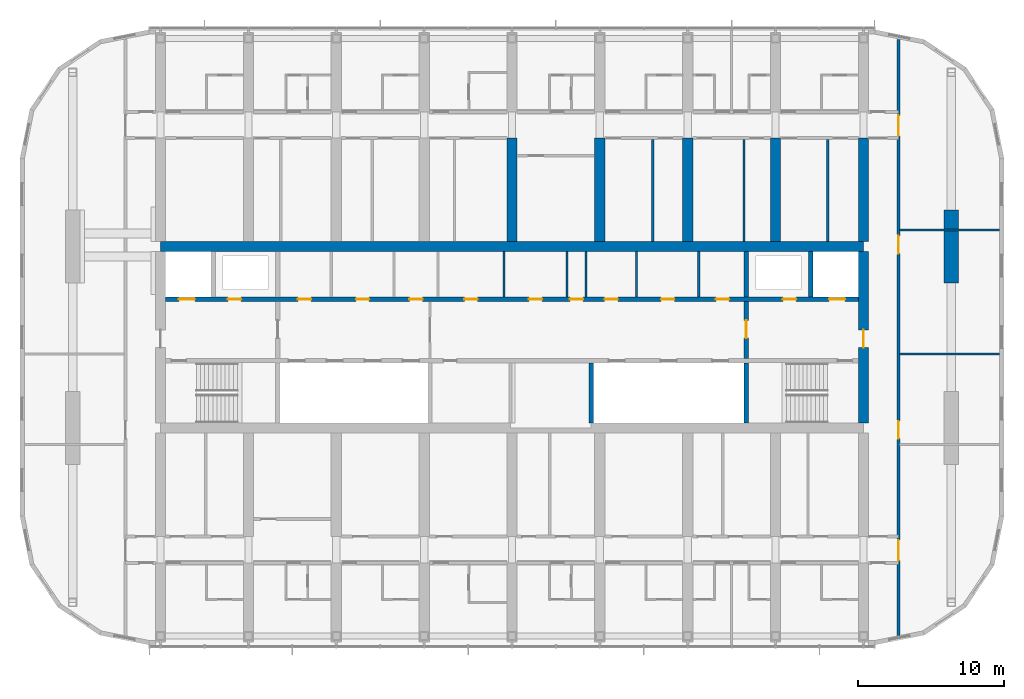
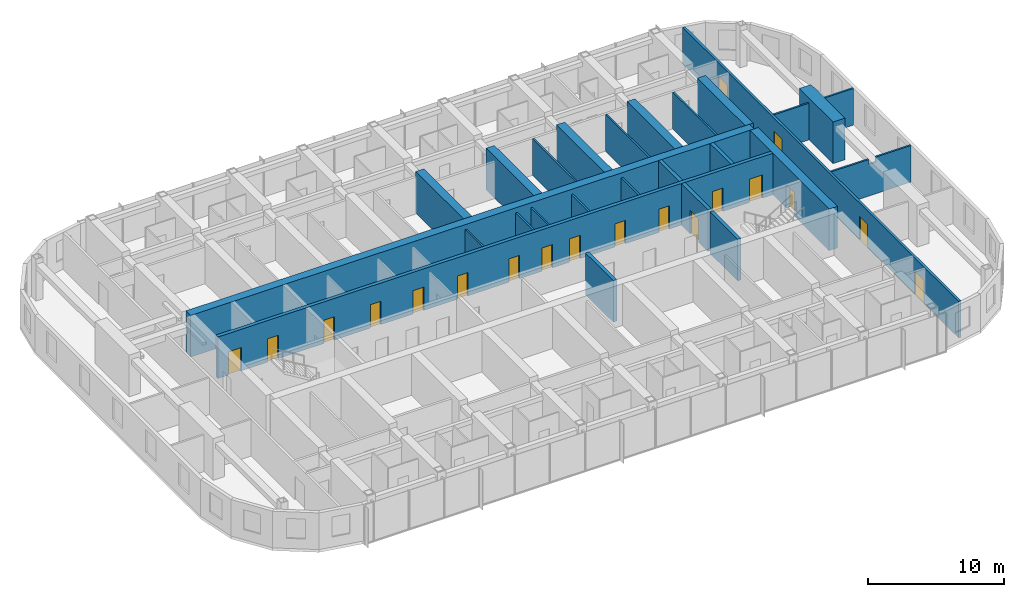
# One storey, part 14 of 23: 25 walls, 19 doors, 19 openings.
"""IFC4 building model written with IfcOpenShell, lengths in metres."""

from ifc_helpers import new_model, si_unit, direction, frame, frame_2d, origin, place, context, subcontext, project, spatial, polyline, rectangle, outline, extrude, material, layer, layer_set, type_object, element, fill, save


model = new_model("IFC4")

# Units and contexts
model_context = context("Model", 3, precision=1e-05, world=origin(), true_north=direction((0.0, 1.0)))
body_context = subcontext(model_context, "Body", "Model", "MODEL_VIEW")
ifc_project = project(units=[si_unit("LENGTHUNIT", "METRE"), si_unit("AREAUNIT", "SQUARE_METRE"), si_unit("VOLUMEUNIT", "CUBIC_METRE"), si_unit("PLANEANGLEUNIT", "RADIAN"), si_unit("MASSUNIT", "GRAM", prefix="KILO")], contexts=[model_context])

# Site, building, storey
site_placement = place(None, origin())
site = spatial("IfcSite", under=ifc_project, at=site_placement, CompositionType="ELEMENT")
building_placement = place(site_placement, origin())
building = spatial("IfcBuilding", under=site, at=building_placement, Name="Orbita Commons", CompositionType="ELEMENT")
storey_placement = place(building_placement, frame((0.0, 0.0, 212.800048828125)))
storey = spatial("IfcBuildingStorey", under=building, at=storey_placement, Name="L52", CompositionType="ELEMENT", Elevation=212.800048828125)

# Wall, openings, doors
ifc_material_1 = material(Name="Concrete C50/60", Category="concrete")
ifc_layer_1 = layer(ifc_material_1, 0.300048828125)
ifc_layer_set_1 = layer_set([ifc_layer_1], Name="Concrete C50/60")
wall_type_1 = type_object("IfcWallType", Name="Core inner wall 300 C50/60", PredefinedType="SHEAR", material=ifc_layer_set_1)
wall_1_placement = place(storey_placement, frame((18.35009765625, 34.60009765625, 0.0), z_axis=(0.0, 0.0, 1.0), x_axis=(1.0, 0.0, 0.0)))
wall_1 = element("IfcWall", 1, at=wall_1_placement, inside=storey, type_object=wall_type_1, Name="Lobby wall north L52", PredefinedType="SHEAR", context=body_context, shape_type="SweptSolid", body=[
    extrude(rectangle(XDim=47.2998046875, YDim=0.300048828125, at=frame_2d((23.64990234375, 0.0))), origin(), (0.0, 0.0, 1.0), 3.75),
])
opening_1_placement = place(wall_1_placement, frame((0.89990234375, 0.0, 0.0)))
opening_1 = element("IfcOpeningElement", 2, at=opening_1_placement, cuts=wall_1, Name="Opening LD01", PredefinedType="OPENING", context=body_context, shape_type="SweptSolid", body=[
    extrude(rectangle(XDim=1.10009765625, YDim=2.10009765625, at=frame_2d((0.550048828125, 1.050048828125))), frame((0.0, 0.159912109375, 0.0), z_axis=(0.0, -1.0, 0.0), x_axis=(1.0, 0.0, 0.0)), (0.0, 0.0, 1.0), 0.320068359375),
])
opening_2_placement = place(wall_1_placement, frame((45.300048828125, 0.0, 0.0)))
opening_2 = element("IfcOpeningElement", 3, at=opening_2_placement, cuts=wall_1, Name="Opening LD01", PredefinedType="OPENING", context=body_context, shape_type="SweptSolid", body=[
    extrude(rectangle(XDim=1.10009765625, YDim=2.10009765625, at=frame_2d((0.550048828125, 1.050048828125))), frame((0.0, 0.159912109375, 0.0), z_axis=(0.0, -1.0, 0.0), x_axis=(1.0, 0.0, 0.0)), (0.0, 0.0, 1.0), 0.320068359375),
])
opening_3_placement = place(wall_1_placement, frame((4.25, 0.0, 0.0)))
opening_3 = element("IfcOpeningElement", 4, at=opening_3_placement, cuts=wall_1, Name="Opening D03", PredefinedType="OPENING", context=body_context, shape_type="SweptSolid", body=[
    extrude(rectangle(XDim=0.89990234375, YDim=2.10009765625, at=frame_2d((0.449951171875, 1.050048828125))), frame((0.0, 0.159912109375, 0.0), z_axis=(0.0, -1.0, 0.0), x_axis=(1.0, 0.0, 0.0)), (0.0, 0.0, 1.0), 0.320068359375),
])
opening_4_placement = place(wall_1_placement, frame((42.14990234375, 0.0, 0.0)))
opening_4 = element("IfcOpeningElement", 5, at=opening_4_placement, cuts=wall_1, Name="Opening D03", PredefinedType="OPENING", context=body_context, shape_type="SweptSolid", body=[
    extrude(rectangle(XDim=0.89990234375, YDim=2.10009765625, at=frame_2d((0.449951171875, 1.050048828125))), frame((0.0, 0.159912109375, 0.0), z_axis=(0.0, -1.0, 0.0), x_axis=(1.0, 0.0, 0.0)), (0.0, 0.0, 1.0), 0.320068359375),
])
opening_5_placement = place(wall_1_placement, frame((9.025390625, 0.0, 0.0)))
opening_5 = element("IfcOpeningElement", 6, at=opening_5_placement, cuts=wall_1, Name="Opening D05", PredefinedType="OPENING", context=body_context, shape_type="SweptSolid", body=[
    extrude(rectangle(XDim=0.89990234375, YDim=2.10009765625, at=frame_2d((0.449951171875, 1.050048828125))), frame((0.0, 0.159912109375, 0.0), z_axis=(0.0, -1.0, 0.0), x_axis=(1.0, 0.0, 0.0)), (0.0, 0.0, 1.0), 0.320068359375),
])
opening_6_placement = place(wall_1_placement, frame((12.998779296875, 0.0, 0.0)))
opening_6 = element("IfcOpeningElement", 7, at=opening_6_placement, cuts=wall_1, Name="Opening D03", PredefinedType="OPENING", context=body_context, shape_type="SweptSolid", body=[
    extrude(rectangle(XDim=0.89990234375, YDim=2.10009765625, at=frame_2d((0.449951171875, 1.050048828125))), frame((0.0, 0.159912109375, 0.0), z_axis=(0.0, -1.0, 0.0), x_axis=(1.0, 0.0, 0.0)), (0.0, 0.0, 1.0), 0.320068359375),
])
opening_7_placement = place(wall_1_placement, frame((16.646240234375, 0.0, 0.0)))
opening_7 = element("IfcOpeningElement", 8, at=opening_7_placement, cuts=wall_1, Name="Opening D03", PredefinedType="OPENING", context=body_context, shape_type="SweptSolid", body=[
    extrude(rectangle(XDim=0.89990234375, YDim=2.10009765625, at=frame_2d((0.449951171875, 1.050048828125))), frame((0.0, 0.159912109375, 0.0), z_axis=(0.0, -1.0, 0.0), x_axis=(1.0, 0.0, 0.0)), (0.0, 0.0, 1.0), 0.320068359375),
])
opening_8_placement = place(wall_1_placement, frame((20.40478515625, 0.0, 0.0)))
opening_8 = element("IfcOpeningElement", 9, at=opening_8_placement, cuts=wall_1, Name="Opening D03", PredefinedType="OPENING", context=body_context, shape_type="SweptSolid", body=[
    extrude(rectangle(XDim=0.89990234375, YDim=2.10009765625, at=frame_2d((0.449951171875, 1.050048828125))), frame((0.0, 0.159912109375, 0.0), z_axis=(0.0, -1.0, 0.0), x_axis=(1.0, 0.0, 0.0)), (0.0, 0.0, 1.0), 0.320068359375),
])
opening_9_placement = place(wall_1_placement, frame((24.810791015625, 0.0, 0.0)))
opening_9 = element("IfcOpeningElement", 10, at=opening_9_placement, cuts=wall_1, Name="Opening D03", PredefinedType="OPENING", context=body_context, shape_type="SweptSolid", body=[
    extrude(rectangle(XDim=0.89990234375, YDim=2.10009765625, at=frame_2d((0.449951171875, 1.050048828125))), frame((0.0, 0.159912109375, 0.0), z_axis=(0.0, -1.0, 0.0), x_axis=(1.0, 0.0, 0.0)), (0.0, 0.0, 1.0), 0.320068359375),
])
opening_10_placement = place(wall_1_placement, frame((27.6083984375, 0.0, 0.0)))
opening_10 = element("IfcOpeningElement", 11, at=opening_10_placement, cuts=wall_1, Name="Opening D03", PredefinedType="OPENING", context=body_context, shape_type="SweptSolid", body=[
    extrude(rectangle(XDim=0.89990234375, YDim=2.10009765625, at=frame_2d((0.449951171875, 1.050048828125))), frame((0.0, 0.159912109375, 0.0), z_axis=(0.0, -1.0, 0.0), x_axis=(1.0, 0.0, 0.0)), (0.0, 0.0, 1.0), 0.320068359375),
])
opening_11_placement = place(wall_1_placement, frame((29.980712890625, 0.0, 0.0)))
opening_11 = element("IfcOpeningElement", 12, at=opening_11_placement, cuts=wall_1, Name="Opening D03", PredefinedType="OPENING", context=body_context, shape_type="SweptSolid", body=[
    extrude(rectangle(XDim=0.89990234375, YDim=2.10009765625, at=frame_2d((0.449951171875, 1.050048828125))), frame((0.0, 0.159912109375, 0.0), z_axis=(0.0, -1.0, 0.0), x_axis=(1.0, 0.0, 0.0)), (0.0, 0.0, 1.0), 0.320068359375),
])
opening_12_placement = place(wall_1_placement, frame((33.83056640625, 0.0, 0.0)))
opening_12 = element("IfcOpeningElement", 13, at=opening_12_placement, cuts=wall_1, Name="Opening D05", PredefinedType="OPENING", context=body_context, shape_type="SweptSolid", body=[
    extrude(rectangle(XDim=0.89990234375, YDim=2.10009765625, at=frame_2d((0.449951171875, 1.050048828125))), frame((0.0, 0.159912109375, 0.0), z_axis=(0.0, -1.0, 0.0), x_axis=(1.0, 0.0, 0.0)), (0.0, 0.0, 1.0), 0.320068359375),
])
opening_13_placement = place(wall_1_placement, frame((37.5791015625, 0.0, 0.0)))
opening_13 = element("IfcOpeningElement", 14, at=opening_13_placement, cuts=wall_1, Name="Opening D03", PredefinedType="OPENING", context=body_context, shape_type="SweptSolid", body=[
    extrude(rectangle(XDim=0.89990234375, YDim=2.10009765625, at=frame_2d((0.449951171875, 1.050048828125))), frame((0.0, 0.159912109375, 0.0), z_axis=(0.0, -1.0, 0.0), x_axis=(1.0, 0.0, 0.0)), (0.0, 0.0, 1.0), 0.320068359375),
])
ifc_material_2 = material(Name="Steel-faced fire door leaf", Category="steel")
door_type_1 = type_object("IfcDoorType", Name="Firefighting lift landing door 1100x2100", OperationType="DOUBLE_DOOR_SLIDING", PredefinedType="DOOR", material=ifc_material_2)
door_1_placement = place(opening_1_placement, origin())
door_1 = element("IfcDoor", 15, at=door_1_placement, inside=storey, type_object=door_type_1, Name="Firefighting lift FL1 landing door", OperationType="DOUBLE_DOOR_SLIDING", OverallHeight=2.10009765625, OverallWidth=1.10009765625, PredefinedType="DOOR", context=body_context, shape_type="SweptSolid", body=[
    extrude(rectangle(XDim=1.10009765625, YDim=2.10009765625, at=frame_2d((0.550048828125, 1.050048828125))), frame((0.0, 0.02490234375, 0.0), z_axis=(0.0, -1.0, 0.0), x_axis=(1.0, 0.0, 0.0)), (0.0, 0.0, 1.0), 0.050048828125),
])
fill(opening_1, door_1)
door_2_placement = place(opening_2_placement, origin())
door_2 = element("IfcDoor", 16, at=door_2_placement, inside=storey, type_object=door_type_1, Name="Firefighting lift FL2 landing door", OperationType="DOUBLE_DOOR_SLIDING", OverallHeight=2.10009765625, OverallWidth=1.10009765625, PredefinedType="DOOR", context=body_context, shape_type="SweptSolid", body=[
    extrude(rectangle(XDim=1.10009765625, YDim=2.10009765625, at=frame_2d((0.550048828125, 1.050048828125))), frame((0.0, 0.02490234375, 0.0), z_axis=(0.0, -1.0, 0.0), x_axis=(1.0, 0.0, 0.0)), (0.0, 0.0, 1.0), 0.050048828125),
])
fill(opening_2, door_2)
ifc_material_3 = material(Name="Steel-faced fire door leaf", Category="steel")
door_type_2 = type_object("IfcDoorType", Name="Service door 20 min 900x2100", OperationType="SINGLE_SWING_LEFT", PredefinedType="DOOR", material=ifc_material_3)
door_3_placement = place(opening_5_placement, origin())
door_3 = element("IfcDoor", 17, at=door_3_placement, inside=storey, type_object=door_type_2, Name="Accessible WC door", OperationType="SINGLE_SWING_LEFT", OverallHeight=2.10009765625, OverallWidth=0.89990234375, PredefinedType="DOOR", context=body_context, shape_type="SweptSolid", body=[
    extrude(rectangle(XDim=0.89990234375, YDim=2.10009765625, at=frame_2d((0.449951171875, 1.050048828125))), frame((0.0, 0.02490234375, 0.0), z_axis=(0.0, -1.0, 0.0), x_axis=(1.0, 0.0, 0.0)), (0.0, 0.0, 1.0), 0.050048828125),
])
fill(opening_5, door_3)
door_4_placement = place(opening_12_placement, origin())
door_4 = element("IfcDoor", 18, at=door_4_placement, inside=storey, type_object=door_type_2, Name="Guest pantry door", OperationType="SINGLE_SWING_LEFT", OverallHeight=2.10009765625, OverallWidth=0.89990234375, PredefinedType="DOOR", context=body_context, shape_type="SweptSolid", body=[
    extrude(rectangle(XDim=0.89990234375, YDim=2.10009765625, at=frame_2d((0.449951171875, 1.050048828125))), frame((0.0, 0.02490234375, 0.0), z_axis=(0.0, -1.0, 0.0), x_axis=(1.0, 0.0, 0.0)), (0.0, 0.0, 1.0), 0.050048828125),
])
fill(opening_12, door_4)
ifc_material_4 = material(Name="Steel-faced fire door leaf", Category="steel")
door_type_3 = type_object("IfcDoorType", Name="Shaft access door 90 min 900x2100", OperationType="SINGLE_SWING_LEFT", PredefinedType="DOOR", material=ifc_material_4)
door_5_placement = place(opening_3_placement, origin())
door_5 = element("IfcDoor", 19, at=door_5_placement, inside=storey, type_object=door_type_3, Name="Riser door west", OperationType="SINGLE_SWING_LEFT", OverallHeight=2.10009765625, OverallWidth=0.89990234375, PredefinedType="DOOR", context=body_context, shape_type="SweptSolid", body=[
    extrude(rectangle(XDim=0.89990234375, YDim=2.10009765625, at=frame_2d((0.449951171875, 1.050048828125))), frame((0.0, 0.02490234375, 0.0), z_axis=(0.0, -1.0, 0.0), x_axis=(1.0, 0.0, 0.0)), (0.0, 0.0, 1.0), 0.050048828125),
])
fill(opening_3, door_5)
door_6_placement = place(opening_4_placement, origin())
door_6 = element("IfcDoor", 20, at=door_6_placement, inside=storey, type_object=door_type_3, Name="Riser door east", OperationType="SINGLE_SWING_LEFT", OverallHeight=2.10009765625, OverallWidth=0.89990234375, PredefinedType="DOOR", context=body_context, shape_type="SweptSolid", body=[
    extrude(rectangle(XDim=0.89990234375, YDim=2.10009765625, at=frame_2d((0.449951171875, 1.050048828125))), frame((0.0, 0.02490234375, 0.0), z_axis=(0.0, -1.0, 0.0), x_axis=(1.0, 0.0, 0.0)), (0.0, 0.0, 1.0), 0.050048828125),
])
fill(opening_4, door_6)
door_7_placement = place(opening_6_placement, origin())
door_7 = element("IfcDoor", 21, at=door_7_placement, inside=storey, type_object=door_type_3, Name="Refuse chute room door", OperationType="SINGLE_SWING_LEFT", OverallHeight=2.10009765625, OverallWidth=0.89990234375, PredefinedType="DOOR", context=body_context, shape_type="SweptSolid", body=[
    extrude(rectangle(XDim=0.89990234375, YDim=2.10009765625, at=frame_2d((0.449951171875, 1.050048828125))), frame((0.0, 0.02490234375, 0.0), z_axis=(0.0, -1.0, 0.0), x_axis=(1.0, 0.0, 0.0)), (0.0, 0.0, 1.0), 0.050048828125),
])
fill(opening_6, door_7)
door_8_placement = place(opening_7_placement, origin())
door_8 = element("IfcDoor", 22, at=door_8_placement, inside=storey, type_object=door_type_3, Name="Electrical riser room door", OperationType="SINGLE_SWING_LEFT", OverallHeight=2.10009765625, OverallWidth=0.89990234375, PredefinedType="DOOR", context=body_context, shape_type="SweptSolid", body=[
    extrude(rectangle(XDim=0.89990234375, YDim=2.10009765625, at=frame_2d((0.449951171875, 1.050048828125))), frame((0.0, 0.02490234375, 0.0), z_axis=(0.0, -1.0, 0.0), x_axis=(1.0, 0.0, 0.0)), (0.0, 0.0, 1.0), 0.050048828125),
])
fill(opening_7, door_8)
door_9_placement = place(opening_8_placement, origin())
door_9 = element("IfcDoor", 23, at=door_9_placement, inside=storey, type_object=door_type_3, Name="Storage room door", OperationType="SINGLE_SWING_LEFT", OverallHeight=2.10009765625, OverallWidth=0.89990234375, PredefinedType="DOOR", context=body_context, shape_type="SweptSolid", body=[
    extrude(rectangle(XDim=0.89990234375, YDim=2.10009765625, at=frame_2d((0.449951171875, 1.050048828125))), frame((0.0, 0.02490234375, 0.0), z_axis=(0.0, -1.0, 0.0), x_axis=(1.0, 0.0, 0.0)), (0.0, 0.0, 1.0), 0.050048828125),
])
fill(opening_8, door_9)
door_10_placement = place(opening_9_placement, origin())
door_10 = element("IfcDoor", 24, at=door_10_placement, inside=storey, type_object=door_type_3, Name="Communications room door", OperationType="SINGLE_SWING_LEFT", OverallHeight=2.10009765625, OverallWidth=0.89990234375, PredefinedType="DOOR", context=body_context, shape_type="SweptSolid", body=[
    extrude(rectangle(XDim=0.89990234375, YDim=2.10009765625, at=frame_2d((0.449951171875, 1.050048828125))), frame((0.0, 0.02490234375, 0.0), z_axis=(0.0, -1.0, 0.0), x_axis=(1.0, 0.0, 0.0)), (0.0, 0.0, 1.0), 0.050048828125),
])
fill(opening_9, door_10)
door_11_placement = place(opening_10_placement, origin())
door_11 = element("IfcDoor", 25, at=door_11_placement, inside=storey, type_object=door_type_3, Name="Stair pressurisation duct door", OperationType="SINGLE_SWING_LEFT", OverallHeight=2.10009765625, OverallWidth=0.89990234375, PredefinedType="DOOR", context=body_context, shape_type="SweptSolid", body=[
    extrude(rectangle(XDim=0.89990234375, YDim=2.10009765625, at=frame_2d((0.449951171875, 1.050048828125))), frame((0.0, 0.02490234375, 0.0), z_axis=(0.0, -1.0, 0.0), x_axis=(1.0, 0.0, 0.0)), (0.0, 0.0, 1.0), 0.050048828125),
])
fill(opening_10, door_11)
door_12_placement = place(opening_11_placement, origin())
door_12 = element("IfcDoor", 26, at=door_12_placement, inside=storey, type_object=door_type_3, Name="IT room door", OperationType="SINGLE_SWING_LEFT", OverallHeight=2.10009765625, OverallWidth=0.89990234375, PredefinedType="DOOR", context=body_context, shape_type="SweptSolid", body=[
    extrude(rectangle(XDim=0.89990234375, YDim=2.10009765625, at=frame_2d((0.449951171875, 1.050048828125))), frame((0.0, 0.02490234375, 0.0), z_axis=(0.0, -1.0, 0.0), x_axis=(1.0, 0.0, 0.0)), (0.0, 0.0, 1.0), 0.050048828125),
])
fill(opening_11, door_12)
door_13_placement = place(opening_13_placement, origin())
door_13 = element("IfcDoor", 27, at=door_13_placement, inside=storey, type_object=door_type_3, Name="Cleaners store door", OperationType="SINGLE_SWING_LEFT", OverallHeight=2.10009765625, OverallWidth=0.89990234375, PredefinedType="DOOR", context=body_context, shape_type="SweptSolid", body=[
    extrude(rectangle(XDim=0.89990234375, YDim=2.10009765625, at=frame_2d((0.449951171875, 1.050048828125))), frame((0.0, 0.02490234375, 0.0), z_axis=(0.0, -1.0, 0.0), x_axis=(1.0, 0.0, 0.0)), (0.0, 0.0, 1.0), 0.050048828125),
])
fill(opening_13, door_13)

# Wall
wall_2_placement = place(storey_placement, frame((58.0, 26.14990234375, 0.0), z_axis=(0.0, 0.0, 1.0), x_axis=(0.0, 1.0, 0.0)))
element("IfcWall", 28, at=wall_2_placement, inside=storey, type_object=wall_type_1, Name="Stair S2 wall L52", PredefinedType="SHEAR", context=body_context, shape_type="SweptSolid", body=[
    extrude(rectangle(XDim=4.10009765625, YDim=0.300048828125, at=frame_2d((2.050048828125, 0.0))), origin(), (0.0, 0.0, 1.0), 3.75),
])

# Wall, opening, door
wall_3_placement = place(storey_placement, frame((58.0, 30.550048828125, 0.0), z_axis=(0.0, 0.0, 1.0), x_axis=(0.0, 1.0, 0.0)))
wall_3 = element("IfcWall", 29, at=wall_3_placement, inside=storey, type_object=wall_type_1, Name="Firefighting lobby wall east L52", PredefinedType="SHEAR", context=body_context, shape_type="SweptSolid", body=[
    extrude(rectangle(XDim=3.89990234375, YDim=0.300048828125, at=frame_2d((1.949951171875, 0.0))), origin(), (0.0, 0.0, 1.0), 3.75),
])
opening_14_placement = place(wall_3_placement, frame((1.39990234375, 0.0, 0.0)))
opening_14 = element("IfcOpeningElement", 30, at=opening_14_placement, cuts=wall_3, Name="Opening D04", PredefinedType="OPENING", context=body_context, shape_type="SweptSolid", body=[
    extrude(rectangle(XDim=1.199951171875, YDim=2.10009765625, at=frame_2d((0.60009765625, 1.050048828125))), frame((0.0, 0.159912109375, 0.0), z_axis=(0.0, -1.0, 0.0), x_axis=(1.0, 0.0, 0.0)), (0.0, 0.0, 1.0), 0.320068359375),
])
ifc_material_5 = material(Name="Steel-faced fire door leaf", Category="steel")
door_type_4 = type_object("IfcDoorType", Name="Service door 20 min 1200x2100", OperationType="SINGLE_SWING_LEFT", PredefinedType="DOOR", material=ifc_material_5)
door_14_placement = place(opening_14_placement, origin())
door_14 = element("IfcDoor", 31, at=door_14_placement, inside=storey, type_object=door_type_4, Name="Lift lobby door east", OperationType="SINGLE_SWING_LEFT", OverallHeight=2.10009765625, OverallWidth=1.199951171875, PredefinedType="DOOR", context=body_context, shape_type="SweptSolid", body=[
    extrude(rectangle(XDim=1.199951171875, YDim=2.10009765625, at=frame_2d((0.60009765625, 1.050048828125))), frame((0.0, 0.02490234375, 0.0), z_axis=(0.0, -1.0, 0.0), x_axis=(1.0, 0.0, 0.0)), (0.0, 0.0, 1.0), 0.050048828125),
])
fill(opening_14, door_14)

# Walls
for number, where, z_axis, x_axis, name in (
    (32, (62.39990234375, 34.75, 0.0), (0.0, 0.0, 1.0), (0.0, 1.0, 0.0), "Firefighting lift FL2 shaft wall L52"),
    (33, (58.0, 34.75, 0.0), (0.0, 0.0, 1.0), (0.0, 1.0, 0.0), "Riser wall east L52"),
):
    element("IfcWall", number, at=place(storey_placement, frame(where, z_axis=z_axis, x_axis=x_axis)), inside=storey, type_object=wall_type_1, Name=name, PredefinedType="SHEAR", context=body_context, shape_type="SweptSolid", body=[
        extrude(rectangle(XDim=3.10009765625, YDim=0.300048828125, at=frame_2d((1.550048828125, 0.0))), origin(), (0.0, 0.0, 1.0), 3.75),
    ])
wall_4_placement = place(storey_placement, frame((47.39990234375, 26.14990234375, 0.0), z_axis=(0.0, 0.0, 1.0), x_axis=(0.0, 1.0, 0.0)))
element("IfcWall", 34, at=wall_4_placement, inside=storey, type_object=wall_type_1, Name="Hoistway division wall L52", PredefinedType="SHEAR", context=body_context, shape_type="SweptSolid", body=[
    extrude(rectangle(XDim=4.10009765625, YDim=0.300048828125, at=frame_2d((2.050048828125, 0.0))), origin(), (0.0, 0.0, 1.0), 3.75),
])
ifc_material_6 = material(Name="Concrete blockwork", Category="masonry")
ifc_layer_2 = layer(ifc_material_6, 0.14990234375)
ifc_layer_set_2 = layer_set([ifc_layer_2], Name="Concrete blockwork")
wall_type_2 = type_object("IfcWallType", Name="Core partition 150 blockwork", PredefinedType="SOLIDWALL", material=ifc_layer_set_2)
for number, where, z_axis, x_axis, name in (
    (35, (41.463134765625, 34.75, 0.0), (0.0, 0.0, 1.0), (0.0, 1.0, 0.0), "Core partition 150 blockwork L52"),
    (36, (45.75830078125, 34.75, 0.0), (0.0, 0.0, 1.0), (0.0, 1.0, 0.0), "Core partition 150 blockwork L52"),
    (37, (47.058349609375, 34.75, 0.0), (0.0, 0.0, 1.0), (0.0, 1.0, 0.0), "Core partition 150 blockwork L52"),
    (38, (50.5029296875, 34.75, 0.0), (0.0, 0.0, 1.0), (0.0, 1.0, 0.0), "Core partition 150 blockwork L52"),
    (39, (54.758056640625, 34.75, 0.0), (0.0, 0.0, 1.0), (0.0, 1.0, 0.0), "Core partition 150 blockwork L52"),
):
    element("IfcWall", number, at=place(storey_placement, frame(where, z_axis=z_axis, x_axis=x_axis)), inside=storey, type_object=wall_type_2, Name=name, PredefinedType="SOLIDWALL", context=body_context, shape_type="SweptSolid", body=[
        extrude(rectangle(XDim=3.10009765625, YDim=0.14990234375, at=frame_2d((1.550048828125, 0.0))), origin(), (0.0, 0.0, 1.0), 3.300048828125),
    ])
ifc_material_7 = material(Name="Concrete C50/60", Category="concrete")
ifc_layer_3 = layer(ifc_material_7, 0.699951171875)
ifc_layer_set_3 = layer_set([ifc_layer_3], Name="Concrete C50/60")
wall_type_3 = type_object("IfcWallType", Name="Core wall 700 C50/60", PredefinedType="SHEAR", material=ifc_layer_set_3)
wall_5_placement = place(storey_placement, frame((18.0, 38.199951171875, 0.0), z_axis=(0.0, 0.0, 1.0), x_axis=(1.0, 0.0, 0.0)))
element("IfcWall", 40, at=wall_5_placement, inside=storey, type_object=wall_type_3, Name="Core spine wall north L52", PredefinedType="SHEAR", context=body_context, shape_type="SweptSolid", body=[
    extrude(rectangle(XDim=48.0, YDim=0.699951171875, at=frame_2d((24.0, 0.0))), origin(), (0.0, 0.0, 1.0), 3.75),
])

# Wall, opening, door
wall_6_placement = place(storey_placement, frame((66.0, 26.14990234375, 0.0), z_axis=(0.0, 0.0, 1.0), x_axis=(0.0, 1.0, 0.0)))
wall_6 = element("IfcWall", 41, at=wall_6_placement, inside=storey, type_object=wall_type_3, Name="Core end wall east L52", PredefinedType="SHEAR", context=body_context, shape_type="SweptSolid", body=[
    extrude(rectangle(XDim=11.7001953125, YDim=0.699951171875, at=frame_2d((5.85009765625, 0.0))), origin(), (0.0, 0.0, 1.0), 3.75),
])
opening_15_placement = place(wall_6_placement, frame((5.14990234375, 0.0, 0.0)))
opening_15 = element("IfcOpeningElement", 42, at=opening_15_placement, cuts=wall_6, Name="Opening D01", PredefinedType="OPENING", context=body_context, shape_type="SweptSolid", body=[
    extrude(rectangle(XDim=1.199951171875, YDim=2.10009765625, at=frame_2d((0.60009765625, 1.050048828125))), frame((0.0, 0.35986328125, 0.0), z_axis=(0.0, -1.0, 0.0), x_axis=(1.0, 0.0, 0.0)), (0.0, 0.0, 1.0), 0.719970703125),
])
ifc_material_8 = material(Name="Steel-faced fire door leaf", Category="steel")
door_type_5 = type_object("IfcDoorType", Name="Fire door 90 min 1200x2100", OperationType="SINGLE_SWING_LEFT", PredefinedType="DOOR", material=ifc_material_8)
door_15_placement = place(opening_15_placement, origin())
door_15 = element("IfcDoor", 43, at=door_15_placement, inside=storey, type_object=door_type_5, Name="Firefighting lobby east door", OperationType="SINGLE_SWING_LEFT", OverallHeight=2.10009765625, OverallWidth=1.199951171875, PredefinedType="DOOR", context=body_context, shape_type="SweptSolid", body=[
    extrude(rectangle(XDim=1.199951171875, YDim=2.10009765625, at=frame_2d((0.60009765625, 1.050048828125))), frame((0.0, 0.02490234375, 0.0), z_axis=(0.0, -1.0, 0.0), x_axis=(1.0, 0.0, 0.0)), (0.0, 0.0, 1.0), 0.050048828125),
])
fill(opening_15, door_15)

# Wall, openings, doors
ifc_material_9 = material(Name="Concrete blockwork", Category="masonry")
ifc_layer_4 = layer(ifc_material_9, 0.199951171875)
ifc_layer_set_4 = layer_set([ifc_layer_4], Name="Concrete blockwork")
wall_type_4 = type_object("IfcWallType", Name="Corridor wall 200 blockwork", PredefinedType="SOLIDWALL", material=ifc_layer_set_4)
wall_7_placement = place(storey_placement, frame((68.39990234375, 11.646240234375, 0.0), z_axis=(0.0, 0.0, 1.0), x_axis=(0.0, 1.0, 0.0)))
wall_7 = element("IfcWall", 44, at=wall_7_placement, inside=storey, type_object=wall_type_4, Name="Corridor wall 200 blockwork L52", PredefinedType="SOLIDWALL", context=body_context, shape_type="SweptSolid", body=[
    extrude(rectangle(XDim=40.70751953125, YDim=0.199951171875, at=frame_2d((20.353759765625, 0.0))), origin(), (0.0, 0.0, 1.0), 3.300048828125),
])
opening_16_placement = place(wall_7_placement, frame((13.433837890625, 0.0, 0.0)))
opening_16 = element("IfcOpeningElement", 45, at=opening_16_placement, cuts=wall_7, Name="Opening D15", PredefinedType="OPENING", context=body_context, shape_type="SweptSolid", body=[
    extrude(rectangle(XDim=1.199951171875, YDim=2.10009765625, at=frame_2d((0.60009765625, 1.050048828125))), frame((0.0, 0.10986328125, 0.0), z_axis=(0.0, -1.0, 0.0), x_axis=(1.0, 0.0, 0.0)), (0.0, 0.0, 1.0), 0.219970703125),
])
opening_17_placement = place(wall_7_placement, frame((26.07373046875, 0.0, 0.0)))
opening_17 = element("IfcOpeningElement", 46, at=opening_17_placement, cuts=wall_7, Name="Opening D15", PredefinedType="OPENING", context=body_context, shape_type="SweptSolid", body=[
    extrude(rectangle(XDim=1.199951171875, YDim=2.10009765625, at=frame_2d((0.60009765625, 1.050048828125))), frame((0.0, 0.10986328125, 0.0), z_axis=(0.0, -1.0, 0.0), x_axis=(1.0, 0.0, 0.0)), (0.0, 0.0, 1.0), 0.219970703125),
])
opening_18_placement = place(wall_7_placement, frame((5.103759765625, 0.0, 0.0)))
opening_18 = element("IfcOpeningElement", 47, at=opening_18_placement, cuts=wall_7, Name="Opening D08", PredefinedType="OPENING", context=body_context, shape_type="SweptSolid", body=[
    extrude(rectangle(XDim=1.39990234375, YDim=2.10009765625, at=frame_2d((0.699951171875, 1.050048828125))), frame((0.0, 0.10986328125, 0.0), z_axis=(0.0, -1.0, 0.0), x_axis=(1.0, 0.0, 0.0)), (0.0, 0.0, 1.0), 0.219970703125),
])
opening_19_placement = place(wall_7_placement, frame((34.103759765625, 0.0, 0.0)))
opening_19 = element("IfcOpeningElement", 48, at=opening_19_placement, cuts=wall_7, Name="Opening D08", PredefinedType="OPENING", context=body_context, shape_type="SweptSolid", body=[
    extrude(rectangle(XDim=1.39990234375, YDim=2.10009765625, at=frame_2d((0.699951171875, 1.050048828125))), frame((0.0, 0.10986328125, 0.0), z_axis=(0.0, -1.0, 0.0), x_axis=(1.0, 0.0, 0.0)), (0.0, 0.0, 1.0), 0.219970703125),
])
ifc_material_10 = material(Name="Steel-faced fire door leaf", Category="steel")
door_type_6 = type_object("IfcDoorType", Name="Corridor door 20 min 1200x2100", OperationType="SINGLE_SWING_LEFT", PredefinedType="DOOR", material=ifc_material_10)
door_16_placement = place(opening_16_placement, origin())
door_16 = element("IfcDoor", 49, at=door_16_placement, inside=storey, type_object=door_type_6, Name="Reading room door", OperationType="SINGLE_SWING_LEFT", OverallHeight=2.10009765625, OverallWidth=1.199951171875, PredefinedType="DOOR", context=body_context, shape_type="SweptSolid", body=[
    extrude(rectangle(XDim=1.199951171875, YDim=2.10009765625, at=frame_2d((0.60009765625, 1.050048828125))), frame((0.0, 0.02490234375, 0.0), z_axis=(0.0, -1.0, 0.0), x_axis=(1.0, 0.0, 0.0)), (0.0, 0.0, 1.0), 0.050048828125),
])
fill(opening_16, door_16)
door_17_placement = place(opening_17_placement, origin())
door_17 = element("IfcDoor", 50, at=door_17_placement, inside=storey, type_object=door_type_6, Name="Study hall door", OperationType="SINGLE_SWING_LEFT", OverallHeight=2.10009765625, OverallWidth=1.199951171875, PredefinedType="DOOR", context=body_context, shape_type="SweptSolid", body=[
    extrude(rectangle(XDim=1.199951171875, YDim=2.10009765625, at=frame_2d((0.60009765625, 1.050048828125))), frame((0.0, 0.02490234375, 0.0), z_axis=(0.0, -1.0, 0.0), x_axis=(1.0, 0.0, 0.0)), (0.0, 0.0, 1.0), 0.050048828125),
])
fill(opening_17, door_17)
ifc_material_11 = material(Name="Steel-faced fire door leaf", Category="steel")
door_type_7 = type_object("IfcDoorType", Name="Double corridor door 20 min 1400x2100", OperationType="DOUBLE_DOOR_SINGLE_SWING", PredefinedType="DOOR", material=ifc_material_11)
door_18_placement = place(opening_18_placement, origin())
door_18 = element("IfcDoor", 51, at=door_18_placement, inside=storey, type_object=door_type_7, Name="Lounge doors", OperationType="DOUBLE_DOOR_SINGLE_SWING", OverallHeight=2.10009765625, OverallWidth=1.39990234375, PredefinedType="DOOR", context=body_context, shape_type="SweptSolid", body=[
    extrude(rectangle(XDim=1.39990234375, YDim=2.10009765625, at=frame_2d((0.699951171875, 1.050048828125))), frame((0.0, 0.02490234375, 0.0), z_axis=(0.0, -1.0, 0.0), x_axis=(1.0, 0.0, 0.0)), (0.0, 0.0, 1.0), 0.050048828125),
])
fill(opening_18, door_18)
door_19_placement = place(opening_19_placement, origin())
door_19 = element("IfcDoor", 52, at=door_19_placement, inside=storey, type_object=door_type_7, Name="Lounge doors", OperationType="DOUBLE_DOOR_SINGLE_SWING", OverallHeight=2.10009765625, OverallWidth=1.39990234375, PredefinedType="DOOR", context=body_context, shape_type="SweptSolid", body=[
    extrude(rectangle(XDim=1.39990234375, YDim=2.10009765625, at=frame_2d((0.699951171875, 1.050048828125))), frame((0.0, 0.02490234375, 0.0), z_axis=(0.0, -1.0, 0.0), x_axis=(1.0, 0.0, 0.0)), (0.0, 0.0, 1.0), 0.050048828125),
])
fill(opening_19, door_19)

# Walls
ifc_material_12 = material(Name="Concrete C50/60", Category="concrete")
ifc_layer_5 = layer(ifc_material_12, 0.699951171875)
ifc_layer_set_5 = layer_set([ifc_layer_5], Name="Concrete C50/60")
wall_type_5 = type_object("IfcWallType", Name="Cross wall 700 C50/60", PredefinedType="SHEAR", material=ifc_layer_set_5)
for number, where, z_axis, x_axis, name in (
    (53, (42.0, 38.550048828125, 0.0), (0.0, 0.0, 1.0), (0.0, 1.0, 0.0), "Cross wall 8 north inner L52"),
    (54, (48.0, 38.550048828125, 0.0), (0.0, 0.0, 1.0), (0.0, 1.0, 0.0), "Cross wall 9 north inner L52"),
    (55, (54.0, 38.550048828125, 0.0), (0.0, 0.0, 1.0), (0.0, 1.0, 0.0), "Cross wall 10 north inner L52"),
    (56, (60.0, 38.550048828125, 0.0), (0.0, 0.0, 1.0), (0.0, 1.0, 0.0), "Cross wall 11 north inner L52"),
    (57, (66.0, 38.550048828125, 0.0), (0.0, 0.0, 1.0), (0.0, 1.0, 0.0), "Cross wall 12 north inner L52"),
):
    element("IfcWall", number, at=place(storey_placement, frame(where, z_axis=z_axis, x_axis=x_axis)), inside=storey, type_object=wall_type_5, Name=name, PredefinedType="SHEAR", context=body_context, shape_type="SweptSolid", body=[
        extrude(rectangle(XDim=7.050048828125, YDim=0.699951171875, at=frame_2d((3.52490234375, 0.0))), origin(), (0.0, 0.0, 1.0), 3.75),
    ])
ifc_material_13 = material(Name="Concrete C50/60", Category="concrete")
ifc_layer_6 = layer(ifc_material_13, 1.0)
ifc_layer_set_6 = layer_set([ifc_layer_6], Name="Concrete C50/60")
wall_type_6 = type_object("IfcWallType", Name="End pier 1000x5000 C50/60", PredefinedType="SHEAR", material=ifc_layer_set_6)
wall_8_placement = place(storey_placement, frame((72.0, 35.699951171875, 0.0), z_axis=(0.0, 0.0, 1.0), x_axis=(0.0, 1.0, 0.0)))
element("IfcWall", 58, at=wall_8_placement, inside=storey, type_object=wall_type_6, Name="End pier 13/D L52", PredefinedType="SHEAR", context=body_context, shape_type="SweptSolid", body=[
    extrude(rectangle(XDim=5.0, YDim=1.0, at=frame_2d((2.5, 0.0))), origin(), (0.0, 0.0, 1.0), 3.75),
])
ifc_material_14 = material(Name="Gypsum plasterboard on steel studs", Category="steel")
ifc_layer_7 = layer(ifc_material_14, 0.14990234375)
ifc_layer_set_7 = layer_set([ifc_layer_7], Name="Gypsum plasterboard on steel studs")
wall_type_7 = type_object("IfcWallType", Name="Partition 150 plasterboard", PredefinedType="PARTITIONING", material=ifc_layer_set_7)
for number, where, z_axis, x_axis, name in (
    (59, (51.610107421875, 38.550048828125, 0.0), (0.0, 0.0, 1.0), (0.0, 1.0, 0.0), "Partition 150 plasterboard L52"),
    (60, (57.8349609375, 38.550048828125, 0.0), (0.0, 0.0, 1.0), (0.0, 1.0, 0.0), "Partition 150 plasterboard L52"),
    (61, (63.56005859375, 38.550048828125, 0.0), (0.0, 0.0, 1.0), (0.0, 1.0, 0.0), "Partition 150 plasterboard L52"),
):
    element("IfcWall", number, at=place(storey_placement, frame(where, z_axis=z_axis, x_axis=x_axis)), inside=storey, type_object=wall_type_7, Name=name, PredefinedType="PARTITIONING", context=body_context, shape_type="SweptSolid", body=[
        extrude(rectangle(XDim=6.949951171875, YDim=0.14990234375, at=frame_2d((3.47509765625, 0.0))), origin(), (0.0, 0.0, 1.0), 3.300048828125),
    ])
wall_9_placement = place(storey_placement, frame((68.47509765625, 30.85009765625, 0.0), z_axis=(0.0, 0.0, 1.0), x_axis=(1.0, 0.0, 0.0)))
element("IfcWall", 62, at=wall_9_placement, inside=storey, type_object=wall_type_7, Name="Partition 150 plasterboard L52", PredefinedType="PARTITIONING", context=body_context, shape_type="SweptSolid", body=[
    extrude(outline(polyline([(0.0, 0.0), (6.81982421875, 0.0), (6.820068359375, 3.300048828125), (3.826904296875, 3.300048828125), (3.824951171875, 2.849853515625), (3.22705078125, 2.849853515625), (3.22509765625, 3.300048828125), (0.0, 3.300048828125), (0.0, 0.0)])), frame((0.0, 0.074951171875, 0.0), z_axis=(0.0, -1.0, 0.0), x_axis=(1.0, 0.0, 0.0)), (0.0, 0.0, 1.0), 0.14990234375),
])
wall_10_placement = place(storey_placement, frame((68.47509765625, 39.320068359375, 0.0), z_axis=(0.0, 0.0, 1.0), x_axis=(1.0, 0.0, 0.0)))
element("IfcWall", 63, at=wall_10_placement, inside=storey, type_object=wall_type_7, Name="Partition 150 plasterboard L52", PredefinedType="PARTITIONING", context=body_context, shape_type="SweptSolid", body=[
    extrude(rectangle(XDim=6.81982421875, YDim=0.14990234375, at=frame_2d((3.409912109375, 0.0))), origin(), (0.0, 0.0, 1.0), 3.300048828125),
])

save(model, "model.ifc")
